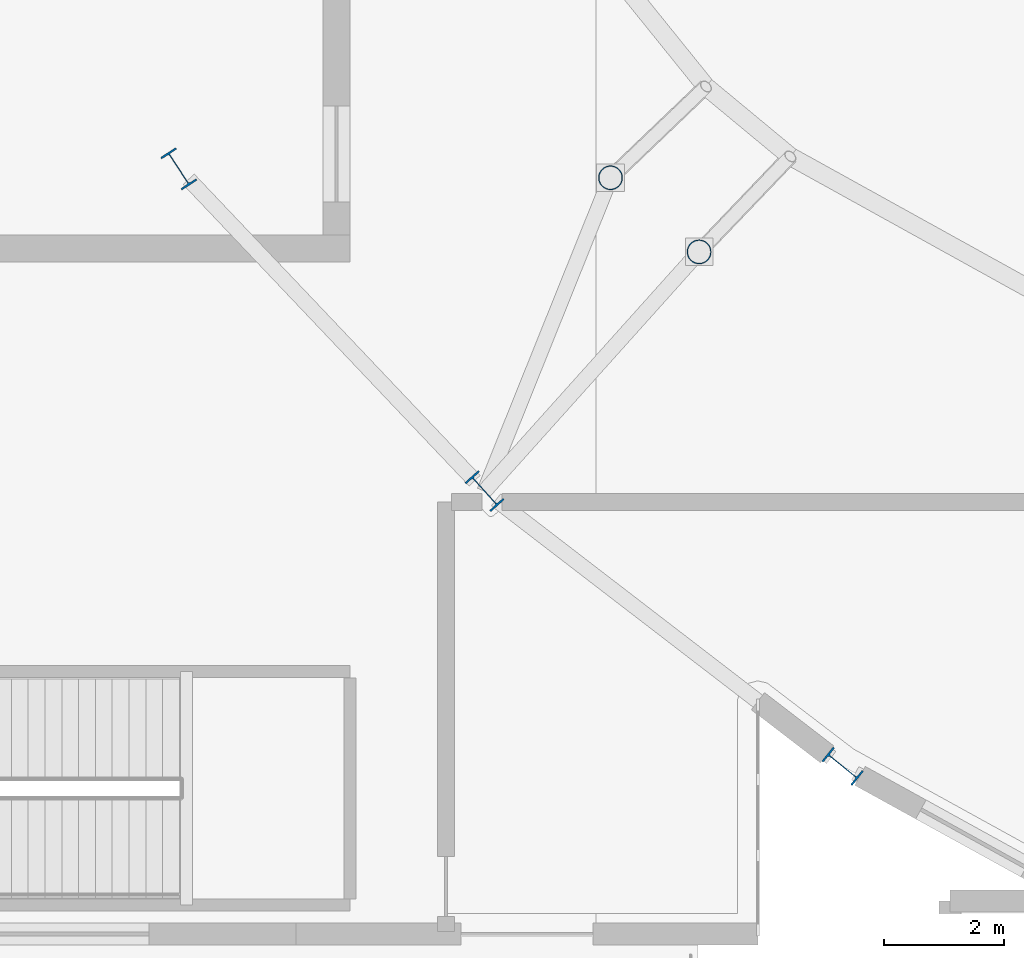
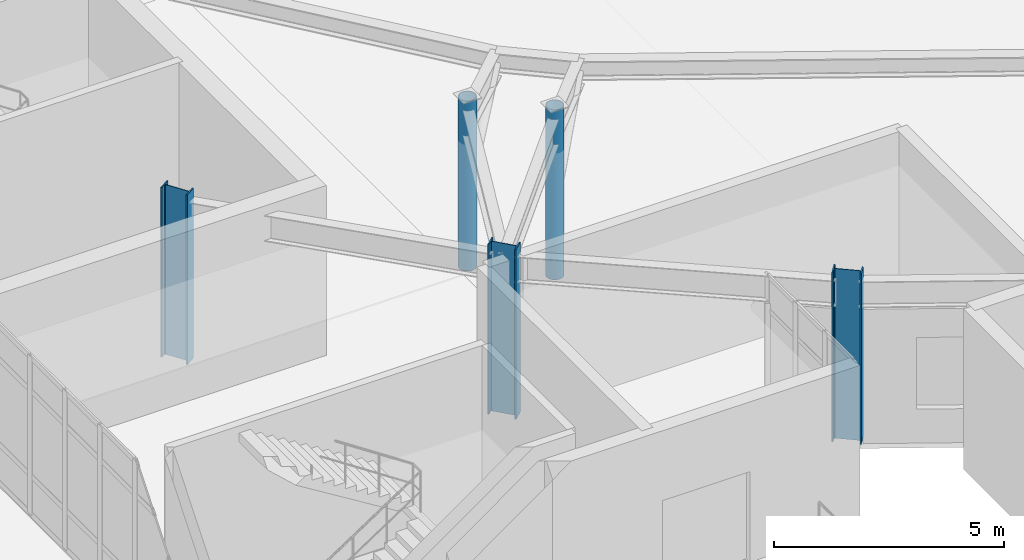
# One storey, part 1 of 48: 5 columns.
"""IFC4 building model written with IfcOpenShell, lengths in metres."""

from ifc_helpers import new_model, si_unit, direction, frame, origin, origin_2d, place, context, subcontext, project, spatial, hollow_circle, i_section, extrude, material, material_profile, profile_set, type_object, element, save


model = new_model("IFC4")

# Units and contexts
model_context = context("Model", 3, precision=1e-05, world=origin(), true_north=direction((0.0, 1.0)))
body_context = subcontext(model_context, "Body", "Model", "MODEL_VIEW")
ifc_project = project(units=[si_unit("LENGTHUNIT", "METRE"), si_unit("AREAUNIT", "SQUARE_METRE"), si_unit("VOLUMEUNIT", "CUBIC_METRE"), si_unit("PLANEANGLEUNIT", "RADIAN"), si_unit("MASSUNIT", "GRAM", prefix="KILO")], contexts=[model_context])

# Site, building, storey
site_placement = place(None, origin())
site = spatial("IfcSite", under=ifc_project, at=site_placement, CompositionType="ELEMENT")
building_placement = place(site_placement, origin())
building = spatial("IfcBuilding", under=site, at=building_placement, Name="Glasvene Arena", CompositionType="ELEMENT")
storey_placement = place(building_placement, frame((0.0, 0.0, 19.5)))
storey = spatial("IfcBuildingStorey", under=building, at=storey_placement, Name="L04", CompositionType="ELEMENT", Elevation=19.5)

# Columns
ifc_material = material(Name="Steel S355J2", Category="steel")
ifc_material_profile_1 = material_profile(ifc_material, i_section(OverallWidth=0.300048828125, OverallDepth=0.64990234375, WebThickness=0.01611328125, FlangeThickness=0.031005859375, FilletRadius=0.027099609375, at=origin_2d()), Name="HEB 650")
ifc_profile_set_1 = profile_set([ifc_material_profile_1], Name="Steel S355J2")
column_type_1 = type_object("IfcColumnType", Name="COL-RING-HEB650", PredefinedType="COLUMN", material=ifc_profile_set_1)
for number, where, z_axis, x_axis, name in (
    (1, (51.54931640625, 46.5498046875, 0.0), (0.0, 0.0, 1.0), (-0.836955398099, -0.547271104292, 0.0), "Bowl ring column R25 L04"),
    (2, (56.644775390625, 41.18017578125, 0.0), (0.0, 0.0, 1.0), (-0.74326159948, -0.669000892928, 0.0), "Bowl ring column R26 L04"),
    (3, (62.610595703125, 36.59423828125, 0.0), (0.0, 0.0, 1.0), (-0.628098877137, -0.778133536444, 0.0), "Bowl ring column R27 L04"),
):
    element("IfcColumn", number, at=place(storey_placement, frame(where, z_axis=z_axis, x_axis=x_axis)), inside=storey, type_object=column_type_1, Name=name, PredefinedType="COLUMN", context=body_context, shape_type="SweptSolid", body=[
        extrude(i_section(OverallWidth=0.300048828125, OverallDepth=0.64990234375, WebThickness=0.01611328125, FlangeThickness=0.031005859375, FilletRadius=0.027099609375, at=origin_2d()), origin(), (0.0, 0.0, 1.0), 4.5),
    ])
ifc_material_profile_2 = material_profile(ifc_material, hollow_circle(Radius=0.203125, WallThickness=0.01611328125, at=origin_2d()), Name="CHS 406.4x16.0")
ifc_profile_set_2 = profile_set([ifc_material_profile_2], Name="Steel S355J2")
column_type_2 = type_object("IfcColumnType", Name="COL-W-CHS406", PredefinedType="COLUMN", material=ifc_profile_set_2)
for number, where, z_axis, x_axis, name in (
    (4, (58.743408203125, 46.40087890625, 0.0), (0.0, 0.0, 1.0), (1.0, 0.0, 0.0), "Gondola support column L04 10-2"),
    (5, (60.219482421875, 45.165771484375, 0.0), (0.0, 0.0, 1.0), (1.0, 0.0, 0.0), "Gondola support column L04 11-1"),
):
    element("IfcColumn", number, at=place(storey_placement, frame(where, z_axis=z_axis, x_axis=x_axis)), inside=storey, type_object=column_type_2, Name=name, PredefinedType="COLUMN", context=body_context, shape_type="SweptSolid", body=[
        extrude(hollow_circle(Radius=0.203125, WallThickness=0.01611328125, at=origin_2d()), origin(), (0.0, 0.0, 1.0), 4.5),
    ])

save(model, "model.ifc")
